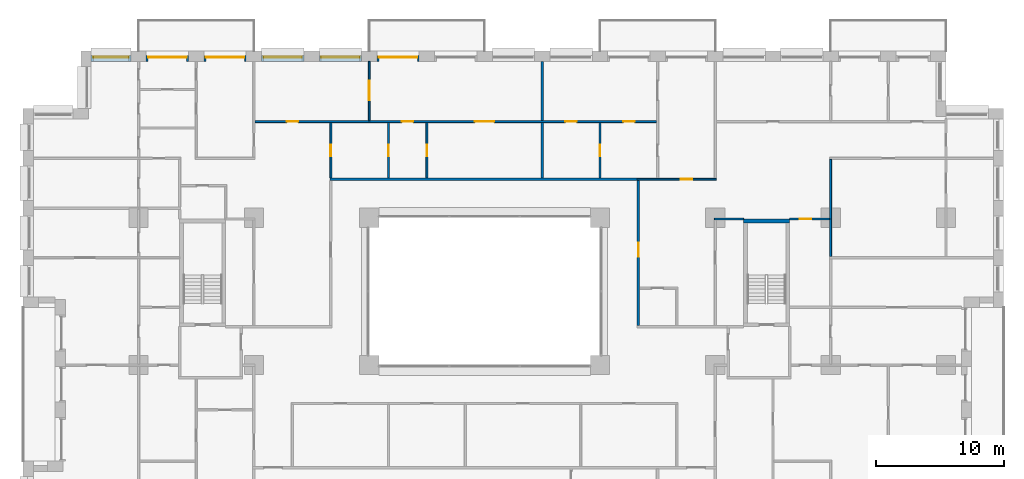
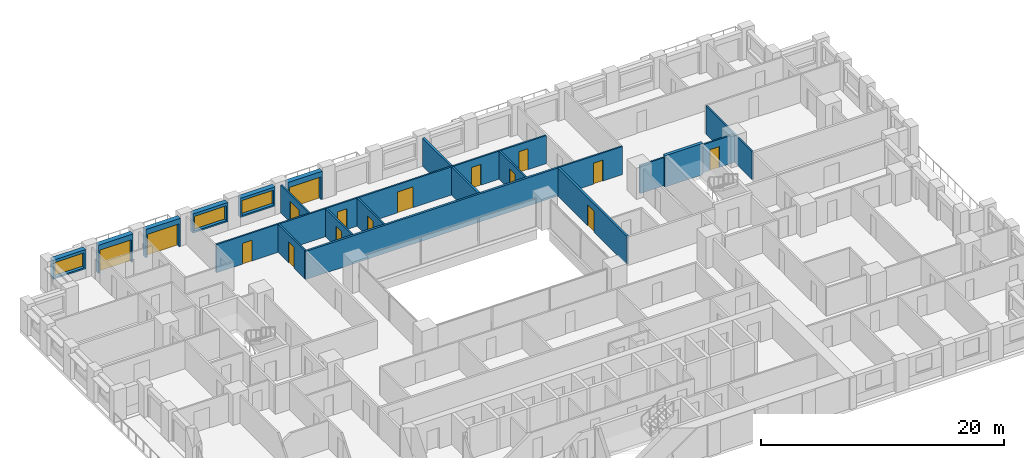
# One storey, part 14 of 19: 21 walls, 16 doors, 3 windows, 19 openings.
"""IFC4 building model written with IfcOpenShell, lengths in metres."""

from ifc_helpers import new_model, si_unit, direction, frame, frame_2d, origin, place, context, subcontext, project, spatial, rectangle, extrude, material, layer, layer_set, type_object, element, fill, save


model = new_model("IFC4")

# Units and contexts
model_context = context("Model", 3, precision=1e-05, world=origin(), true_north=direction((0.0, 1.0)))
body_context = subcontext(model_context, "Body", "Model", "MODEL_VIEW")
ifc_project = project(units=[si_unit("LENGTHUNIT", "METRE"), si_unit("AREAUNIT", "SQUARE_METRE"), si_unit("VOLUMEUNIT", "CUBIC_METRE"), si_unit("PLANEANGLEUNIT", "RADIAN"), si_unit("MASSUNIT", "GRAM", prefix="KILO")], contexts=[model_context])

# Site, building, storey
site_placement = place(None, origin())
site = spatial("IfcSite", under=ifc_project, at=site_placement, CompositionType="ELEMENT")
building_placement = place(site_placement, origin())
building = spatial("IfcBuilding", under=site, at=building_placement, Name="Brigalow Station Residences", CompositionType="ELEMENT")
storey_placement = place(building_placement, frame((0.0, 0.0, 28.949951171875)))
storey = spatial("IfcBuildingStorey", under=building, at=storey_placement, Name="L07", CompositionType="ELEMENT", Elevation=28.949951171875)

# Wall, opening, door
ifc_material_1 = material(Name="Clay brick masonry", Category="masonry")
ifc_layer_1 = layer(ifc_material_1, 0.449951171875)
ifc_layer_set_1 = layer_set([ifc_layer_1], Name="BRICK INFILL WALL 450")
wall_type_1 = type_object("IfcWallType", Name="BRICK INFILL WALL 450", PredefinedType="SOLIDWALL", material=ifc_layer_set_1)
wall_1_placement = place(storey_placement, frame((30.89990234375, 47.925048828125, 0.0), z_axis=(0.0, 0.0, 1.0), x_axis=(-1.0, 0.0, 0.0)))
wall_1 = element("IfcWall", 1, at=wall_1_placement, inside=storey, type_object=wall_type_1, Name="L07/ewall/W-L07-34", PredefinedType="SOLIDWALL", context=body_context, shape_type="SweptSolid", body=[
    extrude(rectangle(XDim=3.2998046875, YDim=0.449951171875, at=frame_2d((1.64990234375, 0.0))), origin(), (0.0, 0.0, 1.0), 2.830078125),
])
opening_1_placement = place(wall_1_placement, frame((0.14990234375, 0.0, 0.0)))
opening_1 = element("IfcOpeningElement", 2, at=opening_1_placement, cuts=wall_1, Name="Opening D-B3000", PredefinedType="OPENING", context=body_context, shape_type="SweptSolid", body=[
    extrude(rectangle(XDim=3.0, YDim=2.300048828125, at=frame_2d((1.5, 1.14990234375))), frame((0.0, 0.23486328125, 0.0), z_axis=(0.0, -1.0, 0.0), x_axis=(1.0, 0.0, 0.0)), (0.0, 0.0, 1.0), 0.469970703125),
])
ifc_material_2 = material(Name="Anodised aluminium frame with double glazing", Category="aluminium")
door_type_1 = type_object("IfcDoorType", Name="BALCONY SLIDING DOOR 3000x2300", OperationType="SLIDING_TO_LEFT", PredefinedType="DOOR", material=ifc_material_2)
door_1_placement = place(opening_1_placement, origin())
door_1 = element("IfcDoor", 3, at=door_1_placement, inside=storey, type_object=door_type_1, Name="L07/balcony-door/W-L07-34", OperationType="SLIDING_TO_LEFT", OverallHeight=2.300048828125, OverallWidth=3.0, PredefinedType="DOOR", context=body_context, shape_type="SweptSolid", body=[
    extrude(rectangle(XDim=3.0, YDim=2.300048828125, at=frame_2d((1.5, 1.14990234375))), frame((0.0, -0.06982421875, 0.0), z_axis=(0.0, -1.0, 0.0), x_axis=(1.0, 0.0, 0.0)), (0.0, 0.0, 1.0), 0.050048828125),
])
fill(opening_1, door_1)

# Wall, opening, window
wall_2_placement = place(storey_placement, frame((26.39990234375, 47.925048828125, 0.900146484375), z_axis=(0.0, 0.0, 1.0), x_axis=(-1.0, 0.0, 0.0)))
wall_2 = element("IfcWall", 4, at=wall_2_placement, inside=storey, type_object=wall_type_1, Name="L07/ewall/W-L07-35", PredefinedType="SOLIDWALL", context=body_context, shape_type="SweptSolid", body=[
    extrude(rectangle(XDim=3.2998046875, YDim=0.449951171875, at=frame_2d((1.64990234375, 0.0))), origin(), (0.0, 0.0, 1.0), 1.929931640625),
])
opening_2_placement = place(wall_2_placement, frame((0.14990234375, 0.0, 0.14990234375)))
opening_2 = element("IfcOpeningElement", 5, at=opening_2_placement, cuts=wall_2, Name="Opening WT-2", PredefinedType="OPENING", context=body_context, shape_type="SweptSolid", body=[
    extrude(rectangle(XDim=3.0, YDim=1.5, at=frame_2d((1.5, 0.75))), frame((0.0, 0.23486328125, 0.0), z_axis=(0.0, -1.0, 0.0), x_axis=(1.0, 0.0, 0.0)), (0.0, 0.0, 1.0), 0.469970703125),
])
ifc_material_3 = material(Name="Anodised aluminium frame with double glazing", Category="aluminium")
window_type_1 = type_object("IfcWindowType", Name="WINDOW 3000x1500", PartitioningType="SINGLE_PANEL", PredefinedType="WINDOW", material=ifc_material_3)
window_1_placement = place(opening_2_placement, origin())
window_1 = element("IfcWindow", 6, at=window_1_placement, inside=storey, type_object=window_type_1, Name="L07/window/W-L07-35", OverallHeight=1.5, OverallWidth=3.0, PartitioningType="SINGLE_PANEL", PredefinedType="WINDOW", context=body_context, shape_type="SweptSolid", body=[
    extrude(rectangle(XDim=3.0, YDim=1.5, at=frame_2d((1.5, 0.75))), frame((0.0, -0.06494140625, 0.0), z_axis=(0.0, -1.0, 0.0), x_axis=(1.0, 0.0, 0.0)), (0.0, 0.0, 1.0), 0.06005859375),
])
fill(opening_2, window_1)

wall_3_placement = place(storey_placement, frame((21.89990234375, 47.925048828125, 0.900146484375), z_axis=(0.0, 0.0, 1.0), x_axis=(-1.0, 0.0, 0.0)))
wall_3 = element("IfcWall", 7, at=wall_3_placement, inside=storey, type_object=wall_type_1, Name="L07/ewall/W-L07-36", PredefinedType="SOLIDWALL", context=body_context, shape_type="SweptSolid", body=[
    extrude(rectangle(XDim=3.2998046875, YDim=0.449951171875, at=frame_2d((1.64990234375, 0.0))), origin(), (0.0, 0.0, 1.0), 1.929931640625),
])
opening_3_placement = place(wall_3_placement, frame((0.14990234375, 0.0, 0.14990234375)))
opening_3 = element("IfcOpeningElement", 8, at=opening_3_placement, cuts=wall_3, Name="Opening WT-2", PredefinedType="OPENING", context=body_context, shape_type="SweptSolid", body=[
    extrude(rectangle(XDim=3.0, YDim=1.5, at=frame_2d((1.5, 0.75))), frame((0.0, 0.23486328125, 0.0), z_axis=(0.0, -1.0, 0.0), x_axis=(1.0, 0.0, 0.0)), (0.0, 0.0, 1.0), 0.469970703125),
])
window_2_placement = place(opening_3_placement, origin())
window_2 = element("IfcWindow", 9, at=window_2_placement, inside=storey, type_object=window_type_1, Name="L07/window/W-L07-36", OverallHeight=1.5, OverallWidth=3.0, PartitioningType="SINGLE_PANEL", PredefinedType="WINDOW", context=body_context, shape_type="SweptSolid", body=[
    extrude(rectangle(XDim=3.0, YDim=1.5, at=frame_2d((1.5, 0.75))), frame((0.0, -0.06494140625, 0.0), z_axis=(0.0, -1.0, 0.0), x_axis=(1.0, 0.0, 0.0)), (0.0, 0.0, 1.0), 0.06005859375),
])
fill(opening_3, window_2)

# Wall, opening, door
wall_4_placement = place(storey_placement, frame((17.39990234375, 47.925048828125, 0.0), z_axis=(0.0, 0.0, 1.0), x_axis=(-1.0, 0.0, 0.0)))
wall_4 = element("IfcWall", 10, at=wall_4_placement, inside=storey, type_object=wall_type_1, Name="L07/ewall/W-L07-37", PredefinedType="SOLIDWALL", context=body_context, shape_type="SweptSolid", body=[
    extrude(rectangle(XDim=3.2998046875, YDim=0.449951171875, at=frame_2d((1.64990234375, 0.0))), origin(), (0.0, 0.0, 1.0), 2.830078125),
])
opening_4_placement = place(wall_4_placement, frame((0.14990234375, 0.0, 0.0)))
opening_4 = element("IfcOpeningElement", 11, at=opening_4_placement, cuts=wall_4, Name="Opening D-B3000", PredefinedType="OPENING", context=body_context, shape_type="SweptSolid", body=[
    extrude(rectangle(XDim=3.0, YDim=2.300048828125, at=frame_2d((1.5, 1.14990234375))), frame((0.0, 0.23486328125, 0.0), z_axis=(0.0, -1.0, 0.0), x_axis=(1.0, 0.0, 0.0)), (0.0, 0.0, 1.0), 0.469970703125),
])
door_2_placement = place(opening_4_placement, origin())
door_2 = element("IfcDoor", 12, at=door_2_placement, inside=storey, type_object=door_type_1, Name="L07/balcony-door/W-L07-37", OperationType="SLIDING_TO_LEFT", OverallHeight=2.300048828125, OverallWidth=3.0, PredefinedType="DOOR", context=body_context, shape_type="SweptSolid", body=[
    extrude(rectangle(XDim=3.0, YDim=2.300048828125, at=frame_2d((1.5, 1.14990234375))), frame((0.0, -0.06982421875, 0.0), z_axis=(0.0, -1.0, 0.0), x_axis=(1.0, 0.0, 0.0)), (0.0, 0.0, 1.0), 0.050048828125),
])
fill(opening_4, door_2)

wall_5_placement = place(storey_placement, frame((12.89990234375, 47.925048828125, 0.0), z_axis=(0.0, 0.0, 1.0), x_axis=(-1.0, 0.0, 0.0)))
wall_5 = element("IfcWall", 13, at=wall_5_placement, inside=storey, type_object=wall_type_1, Name="L07/ewall/W-L07-38", PredefinedType="SOLIDWALL", context=body_context, shape_type="SweptSolid", body=[
    extrude(rectangle(XDim=3.2998046875, YDim=0.449951171875, at=frame_2d((1.64990234375, 0.0))), origin(), (0.0, 0.0, 1.0), 2.830078125),
])
opening_5_placement = place(wall_5_placement, frame((0.14990234375, 0.0, 0.0)))
opening_5 = element("IfcOpeningElement", 14, at=opening_5_placement, cuts=wall_5, Name="Opening D-B3000", PredefinedType="OPENING", context=body_context, shape_type="SweptSolid", body=[
    extrude(rectangle(XDim=3.0, YDim=2.300048828125, at=frame_2d((1.5, 1.14990234375))), frame((0.0, 0.23486328125, 0.0), z_axis=(0.0, -1.0, 0.0), x_axis=(1.0, 0.0, 0.0)), (0.0, 0.0, 1.0), 0.469970703125),
])
door_3_placement = place(opening_5_placement, origin())
door_3 = element("IfcDoor", 15, at=door_3_placement, inside=storey, type_object=door_type_1, Name="L07/balcony-door/W-L07-38", OperationType="SLIDING_TO_LEFT", OverallHeight=2.300048828125, OverallWidth=3.0, PredefinedType="DOOR", context=body_context, shape_type="SweptSolid", body=[
    extrude(rectangle(XDim=3.0, YDim=2.300048828125, at=frame_2d((1.5, 1.14990234375))), frame((0.0, -0.06982421875, 0.0), z_axis=(0.0, -1.0, 0.0), x_axis=(1.0, 0.0, 0.0)), (0.0, 0.0, 1.0), 0.050048828125),
])
fill(opening_5, door_3)

# Wall, opening, window
wall_6_placement = place(storey_placement, frame((8.39990234375, 47.925048828125, 0.900146484375), z_axis=(0.0, 0.0, 1.0), x_axis=(-1.0, 0.0, 0.0)))
wall_6 = element("IfcWall", 16, at=wall_6_placement, inside=storey, type_object=wall_type_1, Name="L07/ewall/W-L07-39", PredefinedType="SOLIDWALL", context=body_context, shape_type="SweptSolid", body=[
    extrude(rectangle(XDim=3.099853515625, YDim=0.449951171875, at=frame_2d((1.5498046875, 0.0))), origin(), (0.0, 0.0, 1.0), 1.929931640625),
])
opening_6_placement = place(wall_6_placement, frame((0.175048828125, 0.0, 0.14990234375)))
opening_6 = element("IfcOpeningElement", 17, at=opening_6_placement, cuts=wall_6, Name="Opening WT-3", PredefinedType="OPENING", context=body_context, shape_type="SweptSolid", body=[
    extrude(rectangle(XDim=2.75, YDim=1.5, at=frame_2d((1.375, 0.75))), frame((0.0, 0.23486328125, 0.0), z_axis=(0.0, -1.0, 0.0), x_axis=(1.0, 0.0, 0.0)), (0.0, 0.0, 1.0), 0.469970703125),
])
ifc_material_4 = material(Name="Anodised aluminium frame with double glazing", Category="aluminium")
window_type_2 = type_object("IfcWindowType", Name="WINDOW 2750x1500", PartitioningType="SINGLE_PANEL", PredefinedType="WINDOW", material=ifc_material_4)
window_3_placement = place(opening_6_placement, origin())
window_3 = element("IfcWindow", 18, at=window_3_placement, inside=storey, type_object=window_type_2, Name="L07/window/W-L07-39", OverallHeight=1.5, OverallWidth=2.75, PartitioningType="SINGLE_PANEL", PredefinedType="WINDOW", context=body_context, shape_type="SweptSolid", body=[
    extrude(rectangle(XDim=2.75, YDim=1.5, at=frame_2d((1.375, 0.75))), frame((0.0, -0.06494140625, 0.0), z_axis=(0.0, -1.0, 0.0), x_axis=(1.0, 0.0, 0.0)), (0.0, 0.0, 1.0), 0.06005859375),
])
fill(opening_6, window_3)

# Wall
ifc_material_5 = material(Name="Concrete C80", Category="concrete")
ifc_layer_2 = layer(ifc_material_5, 0.300048828125)
ifc_layer_set_2 = layer_set([ifc_layer_2], Name="CORE SHEAR WALL 300 C80")
wall_type_2 = type_object("IfcWallType", Name="CORE SHEAR WALL 300 C80", PredefinedType="SHEAR", material=ifc_layer_set_2)
wall_7_placement = place(storey_placement, frame((56.199951171875, 35.25, 0.0), z_axis=(0.0, 0.0, 1.0), x_axis=(1.0, 0.0, 0.0)))
element("IfcWall", 19, at=wall_7_placement, inside=storey, type_object=wall_type_2, Name="CORE WALL ST-S3-N L07", PredefinedType="SHEAR", context=body_context, shape_type="SweptSolid", body=[
    extrude(rectangle(XDim=3.60009765625, YDim=0.300048828125, at=frame_2d((1.800048828125, 0.0))), origin(), (0.0, 0.0, 1.0), 3.150146484375),
])

# Wall, opening, door
ifc_material_6 = material(Name="Plasterboard on steel stud partition", Category="steel")
ifc_layer_3 = layer(ifc_material_6, 0.14990234375)
ifc_layer_set_3 = layer_set([ifc_layer_3], Name="FLAT PARTITION 150")
wall_type_3 = type_object("IfcWallType", Name="FLAT PARTITION 150", PredefinedType="PARTITIONING", material=ifc_layer_set_3)
wall_8_placement = place(storey_placement, frame((47.89990234375, 38.5, 0.0), z_axis=(0.0, 0.0, 1.0), x_axis=(1.0, 0.0, 0.0)))
wall_8 = element("IfcWall", 20, at=wall_8_placement, inside=storey, type_object=wall_type_3, Name="PW-1B08", PredefinedType="PARTITIONING", context=body_context, shape_type="SweptSolid", body=[
    extrude(rectangle(XDim=6.175048828125, YDim=0.14990234375, at=frame_2d((3.08740234375, 0.0))), origin(), (0.0, 0.0, 1.0), 2.830078125),
])
opening_7_placement = place(wall_8_placement, frame((3.39990234375, 0.0, 0.0)))
opening_7 = element("IfcOpeningElement", 21, at=opening_7_placement, cuts=wall_8, Name="Opening D-1B43", PredefinedType="OPENING", context=body_context, shape_type="SweptSolid", body=[
    extrude(rectangle(XDim=0.89990234375, YDim=2.10009765625, at=frame_2d((0.449951171875, 1.050048828125))), frame((0.0, 0.0849609375, 0.0), z_axis=(0.0, -1.0, 0.0), x_axis=(1.0, 0.0, 0.0)), (0.0, 0.0, 1.0), 0.169921875),
])
ifc_material_7 = material(Name="Solid-core timber door leaf", Category="wood")
door_type_2 = type_object("IfcDoorType", Name="INTERNAL DOOR 900 x 2100", OperationType="SINGLE_SWING_LEFT", PredefinedType="DOOR", material=ifc_material_7)
door_4_placement = place(opening_7_placement, origin())
door_4 = element("IfcDoor", 22, at=door_4_placement, inside=storey, type_object=door_type_2, Name="D-1B43", OperationType="SINGLE_SWING_RIGHT", OverallHeight=2.10009765625, OverallWidth=0.89990234375, PredefinedType="DOOR", context=body_context, shape_type="SweptSolid", body=[
    extrude(rectangle(XDim=0.89990234375, YDim=2.10009765625, at=frame_2d((0.449951171875, 1.050048828125))), frame((0.0, 0.02490234375, 0.0), z_axis=(0.0, -1.0, 0.0), x_axis=(1.0, 0.0, 0.0)), (0.0, 0.0, 1.0), 0.050048828125),
])
fill(opening_7, door_4)

# Wall, openings, doors
wall_9_placement = place(storey_placement, frame((18.074951171875, 43.0, 0.0), z_axis=(0.0, 0.0, 1.0), x_axis=(1.0, 0.0, 0.0)))
wall_9 = element("IfcWall", 23, at=wall_9_placement, inside=storey, type_object=wall_type_3, Name="PW-1B23", PredefinedType="PARTITIONING", context=body_context, shape_type="SweptSolid", body=[
    extrude(rectangle(XDim=31.35009765625, YDim=0.14990234375, at=frame_2d((15.675048828125, 0.0))), origin(), (0.0, 0.0, 1.0), 2.830078125),
])
opening_8_placement = place(wall_9_placement, frame((17.175048828125, 0.0, 0.0)))
opening_8 = element("IfcOpeningElement", 24, at=opening_8_placement, cuts=wall_9, Name="Opening D-1B22", PredefinedType="OPENING", context=body_context, shape_type="SweptSolid", body=[
    extrude(rectangle(XDim=1.5, YDim=2.10009765625, at=frame_2d((0.75, 1.050048828125))), frame((0.0, 0.0849609375, 0.0), z_axis=(0.0, -1.0, 0.0), x_axis=(1.0, 0.0, 0.0)), (0.0, 0.0, 1.0), 0.169921875),
])
opening_9_placement = place(wall_9_placement, frame((11.47509765625, 0.0, 0.0)))
opening_9 = element("IfcOpeningElement", 25, at=opening_9_placement, cuts=wall_9, Name="Opening D-1B24", PredefinedType="OPENING", context=body_context, shape_type="SweptSolid", body=[
    extrude(rectangle(XDim=0.89990234375, YDim=2.10009765625, at=frame_2d((0.449951171875, 1.050048828125))), frame((0.0, 0.0849609375, 0.0), z_axis=(0.0, -1.0, 0.0), x_axis=(1.0, 0.0, 0.0)), (0.0, 0.0, 1.0), 0.169921875),
])
opening_10_placement = place(wall_9_placement, frame((2.47509765625, 0.0, 0.0)))
opening_10 = element("IfcOpeningElement", 26, at=opening_10_placement, cuts=wall_9, Name="Opening D-1B30", PredefinedType="OPENING", context=body_context, shape_type="SweptSolid", body=[
    extrude(rectangle(XDim=0.89990234375, YDim=2.10009765625, at=frame_2d((0.449951171875, 1.050048828125))), frame((0.0, 0.0849609375, 0.0), z_axis=(0.0, -1.0, 0.0), x_axis=(1.0, 0.0, 0.0)), (0.0, 0.0, 1.0), 0.169921875),
])
opening_11_placement = place(wall_9_placement, frame((24.22509765625, 0.0, 0.0)))
opening_11 = element("IfcOpeningElement", 27, at=opening_11_placement, cuts=wall_9, Name="Opening D-1B39", PredefinedType="OPENING", context=body_context, shape_type="SweptSolid", body=[
    extrude(rectangle(XDim=0.89990234375, YDim=2.10009765625, at=frame_2d((0.449951171875, 1.050048828125))), frame((0.0, 0.0849609375, 0.0), z_axis=(0.0, -1.0, 0.0), x_axis=(1.0, 0.0, 0.0)), (0.0, 0.0, 1.0), 0.169921875),
])
opening_12_placement = place(wall_9_placement, frame((28.72509765625, 0.0, 0.0)))
opening_12 = element("IfcOpeningElement", 28, at=opening_12_placement, cuts=wall_9, Name="Opening D-1B41", PredefinedType="OPENING", context=body_context, shape_type="SweptSolid", body=[
    extrude(rectangle(XDim=0.89990234375, YDim=2.10009765625, at=frame_2d((0.449951171875, 1.050048828125))), frame((0.0, 0.0849609375, 0.0), z_axis=(0.0, -1.0, 0.0), x_axis=(1.0, 0.0, 0.0)), (0.0, 0.0, 1.0), 0.169921875),
])
door_5_placement = place(opening_9_placement, frame((0.89990234375, 0.0, 0.0), z_axis=(0.0, 0.0, 1.0), x_axis=(-1.0, 0.0, 0.0)))
door_5 = element("IfcDoor", 29, at=door_5_placement, inside=storey, type_object=door_type_2, Name="D-1B24", OperationType="SINGLE_SWING_RIGHT", OverallHeight=2.10009765625, OverallWidth=0.89990234375, PredefinedType="DOOR", context=body_context, shape_type="SweptSolid", body=[
    extrude(rectangle(XDim=0.89990234375, YDim=2.10009765625, at=frame_2d((0.449951171875, 1.050048828125))), frame((0.0, 0.02490234375, 0.0), z_axis=(0.0, -1.0, 0.0), x_axis=(1.0, 0.0, 0.0)), (0.0, 0.0, 1.0), 0.050048828125),
])
fill(opening_9, door_5)
door_6_placement = place(opening_10_placement, origin())
door_6 = element("IfcDoor", 30, at=door_6_placement, inside=storey, type_object=door_type_2, Name="D-1B30", OperationType="SINGLE_SWING_LEFT", OverallHeight=2.10009765625, OverallWidth=0.89990234375, PredefinedType="DOOR", context=body_context, shape_type="SweptSolid", body=[
    extrude(rectangle(XDim=0.89990234375, YDim=2.10009765625, at=frame_2d((0.449951171875, 1.050048828125))), frame((0.0, 0.02490234375, 0.0), z_axis=(0.0, -1.0, 0.0), x_axis=(1.0, 0.0, 0.0)), (0.0, 0.0, 1.0), 0.050048828125),
])
fill(opening_10, door_6)
door_7_placement = place(opening_11_placement, frame((0.89990234375, 0.0, 0.0), z_axis=(0.0, 0.0, 1.0), x_axis=(-1.0, 0.0, 0.0)))
door_7 = element("IfcDoor", 31, at=door_7_placement, inside=storey, type_object=door_type_2, Name="D-1B39", OperationType="SINGLE_SWING_RIGHT", OverallHeight=2.10009765625, OverallWidth=0.89990234375, PredefinedType="DOOR", context=body_context, shape_type="SweptSolid", body=[
    extrude(rectangle(XDim=0.89990234375, YDim=2.10009765625, at=frame_2d((0.449951171875, 1.050048828125))), frame((0.0, 0.02490234375, 0.0), z_axis=(0.0, -1.0, 0.0), x_axis=(1.0, 0.0, 0.0)), (0.0, 0.0, 1.0), 0.050048828125),
])
fill(opening_11, door_7)
door_8_placement = place(opening_12_placement, frame((0.89990234375, 0.0, 0.0), z_axis=(0.0, 0.0, 1.0), x_axis=(-1.0, 0.0, 0.0)))
door_8 = element("IfcDoor", 32, at=door_8_placement, inside=storey, type_object=door_type_2, Name="D-1B41", OperationType="SINGLE_SWING_RIGHT", OverallHeight=2.10009765625, OverallWidth=0.89990234375, PredefinedType="DOOR", context=body_context, shape_type="SweptSolid", body=[
    extrude(rectangle(XDim=0.89990234375, YDim=2.10009765625, at=frame_2d((0.449951171875, 1.050048828125))), frame((0.0, 0.02490234375, 0.0), z_axis=(0.0, -1.0, 0.0), x_axis=(1.0, 0.0, 0.0)), (0.0, 0.0, 1.0), 0.050048828125),
])
fill(opening_12, door_8)
ifc_material_8 = material(Name="Solid-core timber door leaf", Category="wood")
door_type_3 = type_object("IfcDoorType", Name="INTERNAL DOUBLE DOOR 1500 x 2100", OperationType="DOUBLE_DOOR_SINGLE_SWING", PredefinedType="DOOR", material=ifc_material_8)
door_9_placement = place(opening_8_placement, frame((1.5, 0.0, 0.0), z_axis=(0.0, 0.0, 1.0), x_axis=(-1.0, 0.0, 0.0)))
door_9 = element("IfcDoor", 33, at=door_9_placement, inside=storey, type_object=door_type_3, Name="D-1B22", OperationType="DOUBLE_DOOR_SINGLE_SWING", OverallHeight=2.10009765625, OverallWidth=1.5, PredefinedType="DOOR", context=body_context, shape_type="SweptSolid", body=[
    extrude(rectangle(XDim=1.5, YDim=2.10009765625, at=frame_2d((0.75, 1.050048828125))), frame((0.0, 0.02490234375, 0.0), z_axis=(0.0, -1.0, 0.0), x_axis=(1.0, 0.0, 0.0)), (0.0, 0.0, 1.0), 0.050048828125),
])
fill(opening_8, door_9)

# Wall
wall_10_placement = place(storey_placement, frame((53.925048828125, 35.39990234375, 0.0), z_axis=(0.0, 0.0, 1.0), x_axis=(1.0, 0.0, 0.0)))
element("IfcWall", 34, at=wall_10_placement, inside=storey, type_object=wall_type_3, Name="PW-1B27", PredefinedType="PARTITIONING", context=body_context, shape_type="SweptSolid", body=[
    extrude(rectangle(XDim=2.27490234375, YDim=0.14990234375, at=frame_2d((1.137451171875, 0.0))), origin(), (0.0, 0.0, 1.0), 2.830078125),
])

# Wall, opening, door
wall_11_placement = place(storey_placement, frame((59.800048828125, 35.39990234375, 0.0), z_axis=(0.0, 0.0, 1.0), x_axis=(1.0, 0.0, 0.0)))
wall_11 = element("IfcWall", 35, at=wall_11_placement, inside=storey, type_object=wall_type_3, Name="PW-1B28", PredefinedType="PARTITIONING", context=body_context, shape_type="SweptSolid", body=[
    extrude(rectangle(XDim=3.125, YDim=0.14990234375, at=frame_2d((1.5625, 0.0))), origin(), (0.0, 0.0, 1.0), 2.830078125),
])
opening_13_placement = place(wall_11_placement, frame((0.77490234375, 0.0, 0.0)))
opening_13 = element("IfcOpeningElement", 36, at=opening_13_placement, cuts=wall_11, Name="Opening D-1B48", PredefinedType="OPENING", context=body_context, shape_type="SweptSolid", body=[
    extrude(rectangle(XDim=0.89990234375, YDim=2.10009765625, at=frame_2d((0.449951171875, 1.050048828125))), frame((0.0, 0.0849609375, 0.0), z_axis=(0.0, -1.0, 0.0), x_axis=(1.0, 0.0, 0.0)), (0.0, 0.0, 1.0), 0.169921875),
])
door_10_placement = place(opening_13_placement, frame((0.89990234375, 0.0, 0.0), z_axis=(0.0, 0.0, 1.0), x_axis=(-1.0, 0.0, 0.0)))
door_10 = element("IfcDoor", 37, at=door_10_placement, inside=storey, type_object=door_type_2, Name="D-1B48", OperationType="SINGLE_SWING_RIGHT", OverallHeight=2.10009765625, OverallWidth=0.89990234375, PredefinedType="DOOR", context=body_context, shape_type="SweptSolid", body=[
    extrude(rectangle(XDim=0.89990234375, YDim=2.10009765625, at=frame_2d((0.449951171875, 1.050048828125))), frame((0.0, 0.02490234375, 0.0), z_axis=(0.0, -1.0, 0.0), x_axis=(1.0, 0.0, 0.0)), (0.0, 0.0, 1.0), 0.050048828125),
])
fill(opening_13, door_10)

wall_12_placement = place(storey_placement, frame((24.0, 38.60009765625, 0.0), z_axis=(0.0, 0.0, 1.0), x_axis=(0.0, 1.0, 0.0)))
wall_12 = element("IfcWall", 38, at=wall_12_placement, inside=storey, type_object=wall_type_3, Name="PW-1B46", PredefinedType="PARTITIONING", context=body_context, shape_type="SweptSolid", body=[
    extrude(rectangle(XDim=4.324951171875, YDim=0.14990234375, at=frame_2d((2.16259765625, 0.0))), origin(), (0.0, 0.0, 1.0), 2.830078125),
])
opening_14_placement = place(wall_12_placement, frame((1.699951171875, 0.0, 0.0)))
opening_14 = element("IfcOpeningElement", 39, at=opening_14_placement, cuts=wall_12, Name="Opening D-1B28", PredefinedType="OPENING", context=body_context, shape_type="SweptSolid", body=[
    extrude(rectangle(XDim=0.89990234375, YDim=2.10009765625, at=frame_2d((0.449951171875, 1.050048828125))), frame((0.0, 0.0849609375, 0.0), z_axis=(0.0, -1.0, 0.0), x_axis=(1.0, 0.0, 0.0)), (0.0, 0.0, 1.0), 0.169921875),
])
door_11_placement = place(opening_14_placement, frame((0.89990234375, 0.0, 0.0), z_axis=(0.0, 0.0, 1.0), x_axis=(-1.0, 0.0, 0.0)))
door_11 = element("IfcDoor", 40, at=door_11_placement, inside=storey, type_object=door_type_2, Name="D-1B28", OperationType="SINGLE_SWING_RIGHT", OverallHeight=2.10009765625, OverallWidth=0.89990234375, PredefinedType="DOOR", context=body_context, shape_type="SweptSolid", body=[
    extrude(rectangle(XDim=0.89990234375, YDim=2.10009765625, at=frame_2d((0.449951171875, 1.050048828125))), frame((0.0, 0.02490234375, 0.0), z_axis=(0.0, -1.0, 0.0), x_axis=(1.0, 0.0, 0.0)), (0.0, 0.0, 1.0), 0.050048828125),
])
fill(opening_14, door_11)

wall_13_placement = place(storey_placement, frame((27.0, 43.074951171875, 0.0), z_axis=(0.0, 0.0, 1.0), x_axis=(0.0, 1.0, 0.0)))
wall_13 = element("IfcWall", 41, at=wall_13_placement, inside=storey, type_object=wall_type_3, Name="PW-1B62", PredefinedType="PARTITIONING", context=body_context, shape_type="SweptSolid", body=[
    extrude(rectangle(XDim=4.625, YDim=0.14990234375, at=frame_2d((2.3125, 0.0))), origin(), (0.0, 0.0, 1.0), 2.830078125),
])
opening_15_placement = place(wall_13_placement, frame((1.60009765625, 0.0, 0.0)))
opening_15 = element("IfcOpeningElement", 42, at=opening_15_placement, cuts=wall_13, Name="Opening D-1B23", PredefinedType="OPENING", context=body_context, shape_type="SweptSolid", body=[
    extrude(rectangle(XDim=1.5, YDim=2.10009765625, at=frame_2d((0.75, 1.050048828125))), frame((0.0, 0.0849609375, 0.0), z_axis=(0.0, -1.0, 0.0), x_axis=(1.0, 0.0, 0.0)), (0.0, 0.0, 1.0), 0.169921875),
])
door_12_placement = place(opening_15_placement, origin())
door_12 = element("IfcDoor", 43, at=door_12_placement, inside=storey, type_object=door_type_3, Name="D-1B23", OperationType="DOUBLE_DOOR_SINGLE_SWING", OverallHeight=2.10009765625, OverallWidth=1.5, PredefinedType="DOOR", context=body_context, shape_type="SweptSolid", body=[
    extrude(rectangle(XDim=1.5, YDim=2.10009765625, at=frame_2d((0.75, 1.050048828125))), frame((0.0, 0.02490234375, 0.0), z_axis=(0.0, -1.0, 0.0), x_axis=(1.0, 0.0, 0.0)), (0.0, 0.0, 1.0), 0.050048828125),
])
fill(opening_15, door_12)

wall_14_placement = place(storey_placement, frame((28.5, 38.60009765625, 0.0), z_axis=(0.0, 0.0, 1.0), x_axis=(0.0, 1.0, 0.0)))
wall_14 = element("IfcWall", 44, at=wall_14_placement, inside=storey, type_object=wall_type_3, Name="PW-1B64", PredefinedType="PARTITIONING", context=body_context, shape_type="SweptSolid", body=[
    extrude(rectangle(XDim=4.324951171875, YDim=0.14990234375, at=frame_2d((2.16259765625, 0.0))), origin(), (0.0, 0.0, 1.0), 2.830078125),
])
opening_16_placement = place(wall_14_placement, frame((1.699951171875, 0.0, 0.0)))
opening_16 = element("IfcOpeningElement", 45, at=opening_16_placement, cuts=wall_14, Name="Opening D-1B34", PredefinedType="OPENING", context=body_context, shape_type="SweptSolid", body=[
    extrude(rectangle(XDim=0.89990234375, YDim=2.10009765625, at=frame_2d((0.449951171875, 1.050048828125))), frame((0.0, 0.0849609375, 0.0), z_axis=(0.0, -1.0, 0.0), x_axis=(1.0, 0.0, 0.0)), (0.0, 0.0, 1.0), 0.169921875),
])
door_13_placement = place(opening_16_placement, frame((0.89990234375, 0.0, 0.0), z_axis=(0.0, 0.0, 1.0), x_axis=(-1.0, 0.0, 0.0)))
door_13 = element("IfcDoor", 46, at=door_13_placement, inside=storey, type_object=door_type_2, Name="D-1B34", OperationType="SINGLE_SWING_RIGHT", OverallHeight=2.10009765625, OverallWidth=0.89990234375, PredefinedType="DOOR", context=body_context, shape_type="SweptSolid", body=[
    extrude(rectangle(XDim=0.89990234375, YDim=2.10009765625, at=frame_2d((0.449951171875, 1.050048828125))), frame((0.0, 0.02490234375, 0.0), z_axis=(0.0, -1.0, 0.0), x_axis=(1.0, 0.0, 0.0)), (0.0, 0.0, 1.0), 0.050048828125),
])
fill(opening_16, door_13)

wall_15_placement = place(storey_placement, frame((31.5, 38.60009765625, 0.0), z_axis=(0.0, 0.0, 1.0), x_axis=(0.0, 1.0, 0.0)))
wall_15 = element("IfcWall", 47, at=wall_15_placement, inside=storey, type_object=wall_type_3, Name="PW-1B65", PredefinedType="PARTITIONING", context=body_context, shape_type="SweptSolid", body=[
    extrude(rectangle(XDim=4.324951171875, YDim=0.14990234375, at=frame_2d((2.16259765625, 0.0))), origin(), (0.0, 0.0, 1.0), 2.830078125),
])
opening_17_placement = place(wall_15_placement, frame((1.699951171875, 0.0, 0.0)))
opening_17 = element("IfcOpeningElement", 48, at=opening_17_placement, cuts=wall_15, Name="Opening D-1B35", PredefinedType="OPENING", context=body_context, shape_type="SweptSolid", body=[
    extrude(rectangle(XDim=0.89990234375, YDim=2.10009765625, at=frame_2d((0.449951171875, 1.050048828125))), frame((0.0, 0.0849609375, 0.0), z_axis=(0.0, -1.0, 0.0), x_axis=(1.0, 0.0, 0.0)), (0.0, 0.0, 1.0), 0.169921875),
])
door_14_placement = place(opening_17_placement, origin())
door_14 = element("IfcDoor", 49, at=door_14_placement, inside=storey, type_object=door_type_2, Name="D-1B35", OperationType="SINGLE_SWING_LEFT", OverallHeight=2.10009765625, OverallWidth=0.89990234375, PredefinedType="DOOR", context=body_context, shape_type="SweptSolid", body=[
    extrude(rectangle(XDim=0.89990234375, YDim=2.10009765625, at=frame_2d((0.449951171875, 1.050048828125))), frame((0.0, 0.02490234375, 0.0), z_axis=(0.0, -1.0, 0.0), x_axis=(1.0, 0.0, 0.0)), (0.0, 0.0, 1.0), 0.050048828125),
])
fill(opening_17, door_14)

# Wall
wall_16_placement = place(storey_placement, frame((63.0, 32.47509765625, 0.0), z_axis=(0.0, 0.0, 1.0), x_axis=(0.0, 1.0, 0.0)))
element("IfcWall", 50, at=wall_16_placement, inside=storey, type_object=wall_type_3, Name="PW-1B71", PredefinedType="PARTITIONING", context=body_context, shape_type="SweptSolid", body=[
    extrude(rectangle(XDim=7.574951171875, YDim=0.14990234375, at=frame_2d((3.78759765625, 0.0))), origin(), (0.0, 0.0, 1.0), 2.830078125),
])

# Wall, opening, door
wall_17_placement = place(storey_placement, frame((45.0, 38.60009765625, 0.0), z_axis=(0.0, 0.0, 1.0), x_axis=(0.0, 1.0, 0.0)))
wall_17 = element("IfcWall", 51, at=wall_17_placement, inside=storey, type_object=wall_type_3, Name="PW-1B82", PredefinedType="PARTITIONING", context=body_context, shape_type="SweptSolid", body=[
    extrude(rectangle(XDim=4.324951171875, YDim=0.14990234375, at=frame_2d((2.16259765625, 0.0))), origin(), (0.0, 0.0, 1.0), 2.830078125),
])
opening_18_placement = place(wall_17_placement, frame((1.699951171875, 0.0, 0.0)))
opening_18 = element("IfcOpeningElement", 52, at=opening_18_placement, cuts=wall_17, Name="Opening D-1B50", PredefinedType="OPENING", context=body_context, shape_type="SweptSolid", body=[
    extrude(rectangle(XDim=0.89990234375, YDim=2.10009765625, at=frame_2d((0.449951171875, 1.050048828125))), frame((0.0, 0.0849609375, 0.0), z_axis=(0.0, -1.0, 0.0), x_axis=(1.0, 0.0, 0.0)), (0.0, 0.0, 1.0), 0.169921875),
])
door_15_placement = place(opening_18_placement, frame((0.89990234375, 0.0, 0.0), z_axis=(0.0, 0.0, 1.0), x_axis=(-1.0, 0.0, 0.0)))
door_15 = element("IfcDoor", 53, at=door_15_placement, inside=storey, type_object=door_type_2, Name="D-1B50", OperationType="SINGLE_SWING_RIGHT", OverallHeight=2.10009765625, OverallWidth=0.89990234375, PredefinedType="DOOR", context=body_context, shape_type="SweptSolid", body=[
    extrude(rectangle(XDim=0.89990234375, YDim=2.10009765625, at=frame_2d((0.449951171875, 1.050048828125))), frame((0.0, 0.02490234375, 0.0), z_axis=(0.0, -1.0, 0.0), x_axis=(1.0, 0.0, 0.0)), (0.0, 0.0, 1.0), 0.050048828125),
])
fill(opening_18, door_15)

# Wall
ifc_material_9 = material(Name="Plasterboard on steel stud partition", Category="steel")
ifc_layer_4 = layer(ifc_material_9, 0.199951171875)
ifc_layer_set_4 = layer_set([ifc_layer_4], Name="PARTY AND CORRIDOR WALL 200")
wall_type_4 = type_object("IfcWallType", Name="PARTY AND CORRIDOR WALL 200", PredefinedType="PARTITIONING", material=ifc_layer_set_4)
wall_18_placement = place(storey_placement, frame((23.925048828125, 38.5, 0.0), z_axis=(0.0, 0.0, 1.0), x_axis=(1.0, 0.0, 0.0)))
element("IfcWall", 54, at=wall_18_placement, inside=storey, type_object=wall_type_4, Name="PW-1B09", PredefinedType="PARTITIONING", context=body_context, shape_type="SweptSolid", body=[
    extrude(rectangle(XDim=24.175048828125, YDim=0.199951171875, at=frame_2d((12.08740234375, 0.0))), origin(), (0.0, 0.0, 1.0), 2.830078125),
])

# Wall, opening, door
wall_19_placement = place(storey_placement, frame((48.0, 27.10009765625, 0.0), z_axis=(0.0, 0.0, 1.0), x_axis=(0.0, 1.0, 0.0)))
wall_19 = element("IfcWall", 55, at=wall_19_placement, inside=storey, type_object=wall_type_4, Name="PW-1B48", PredefinedType="PARTITIONING", context=body_context, shape_type="SweptSolid", body=[
    extrude(rectangle(XDim=11.324951171875, YDim=0.199951171875, at=frame_2d((5.66259765625, 0.0))), origin(), (0.0, 0.0, 1.0), 2.830078125),
])
opening_19_placement = place(wall_19_placement, frame((5.35009765625, 0.0, 0.0)))
opening_19 = element("IfcOpeningElement", 56, at=opening_19_placement, cuts=wall_19, Name="Opening D-1B53", PredefinedType="OPENING", context=body_context, shape_type="SweptSolid", body=[
    extrude(rectangle(XDim=1.10009765625, YDim=2.10009765625, at=frame_2d((0.550048828125, 1.050048828125))), frame((0.0, 0.10986328125, 0.0), z_axis=(0.0, -1.0, 0.0), x_axis=(1.0, 0.0, 0.0)), (0.0, 0.0, 1.0), 0.219970703125),
])
ifc_material_10 = material(Name="Solid-core timber door leaf", Category="wood")
door_type_4 = type_object("IfcDoorType", Name="FLAT ENTRANCE DOOR 1100 x 2100 FRL -/60/30", OperationType="SINGLE_SWING_LEFT", PredefinedType="DOOR", material=ifc_material_10)
door_16_placement = place(opening_19_placement, frame((1.10009765625, 0.0, 0.0), z_axis=(0.0, 0.0, 1.0), x_axis=(-1.0, 0.0, 0.0)))
door_16 = element("IfcDoor", 57, at=door_16_placement, inside=storey, type_object=door_type_4, Name="D-1B53", OperationType="SINGLE_SWING_RIGHT", OverallHeight=2.10009765625, OverallWidth=1.10009765625, PredefinedType="DOOR", context=body_context, shape_type="SweptSolid", body=[
    extrude(rectangle(XDim=1.10009765625, YDim=2.10009765625, at=frame_2d((0.550048828125, 1.050048828125))), frame((0.0, 0.02490234375, 0.0), z_axis=(0.0, -1.0, 0.0), x_axis=(1.0, 0.0, 0.0)), (0.0, 0.0, 1.0), 0.050048828125),
])
fill(opening_19, door_16)

# Walls
wall_20_placement = place(storey_placement, frame((40.5, 38.60009765625, 0.0), z_axis=(0.0, 0.0, 1.0), x_axis=(0.0, 1.0, 0.0)))
element("IfcWall", 58, at=wall_20_placement, inside=storey, type_object=wall_type_4, Name="PW-1B66", PredefinedType="PARTITIONING", context=body_context, shape_type="SweptSolid", body=[
    extrude(rectangle(XDim=4.324951171875, YDim=0.199951171875, at=frame_2d((2.16259765625, 0.0))), origin(), (0.0, 0.0, 1.0), 2.830078125),
])
wall_21_placement = place(storey_placement, frame((40.5, 43.074951171875, 0.0), z_axis=(0.0, 0.0, 1.0), x_axis=(0.0, 1.0, 0.0)))
element("IfcWall", 59, at=wall_21_placement, inside=storey, type_object=wall_type_4, Name="PW-1B67", PredefinedType="PARTITIONING", context=body_context, shape_type="SweptSolid", body=[
    extrude(rectangle(XDim=4.625, YDim=0.199951171875, at=frame_2d((2.3125, 0.0))), origin(), (0.0, 0.0, 1.0), 2.830078125),
])

save(model, "model.ifc")
